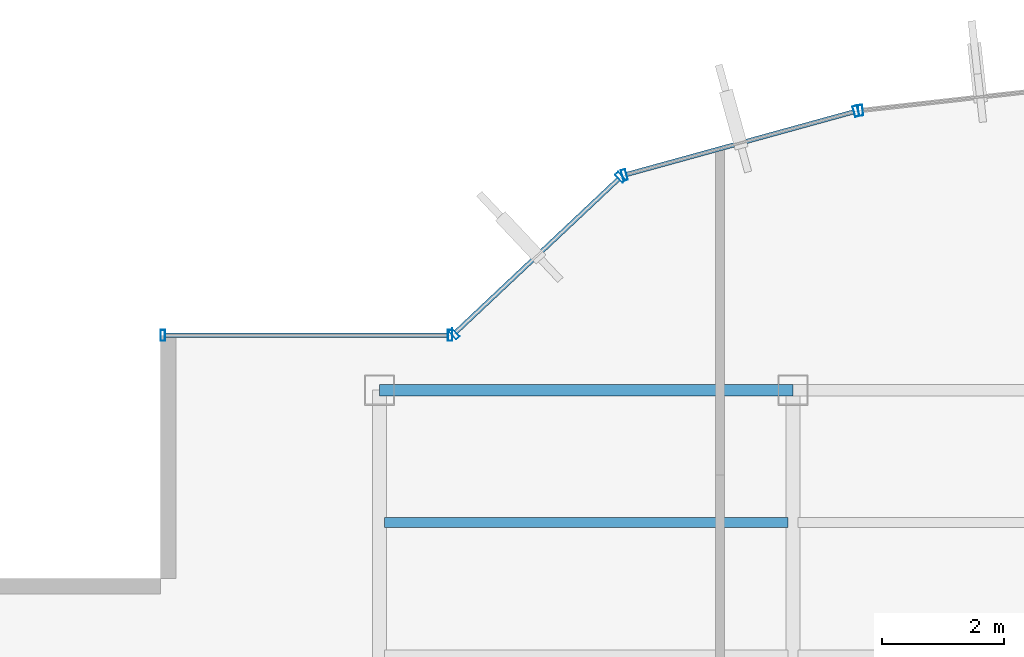
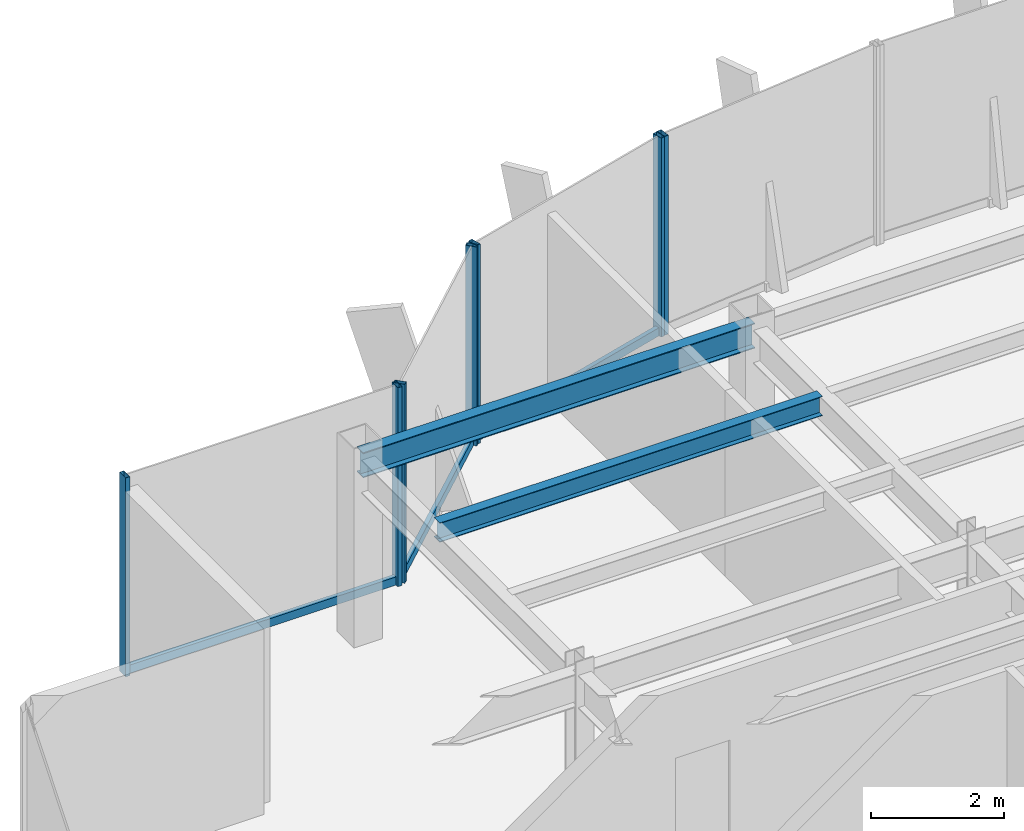
# One storey, part 12 of 22: 10 members, 2 beams, 4 elements without a shape of their own.
"""IFC4 building model written with IfcOpenShell, lengths in metres."""

from ifc_helpers import new_model, si_unit, derived_unit, direction, frame, origin, origin_2d, place, context, subcontext, project, spatial, hollow_rectangle, i_section, extrude, source, transform, mapped, material, material_profile, profile_set, type_object, element, aggregate, save


model = new_model("IFC4")

# Units and contexts
model_context = context("Model", 3, precision=1e-05, world=origin(), true_north=direction((0.0, 1.0)))
body_context = subcontext(model_context, "Body", "Model", "MODEL_VIEW")
ifc_project = project(units=[si_unit("LENGTHUNIT", "METRE"), si_unit("AREAUNIT", "SQUARE_METRE"), si_unit("VOLUMEUNIT", "CUBIC_METRE"), si_unit("PLANEANGLEUNIT", "RADIAN"), si_unit("MASSUNIT", "GRAM", prefix="KILO"), derived_unit("THERMALTRANSMITTANCEUNIT", [(si_unit("POWERUNIT", "WATT"), 1), (si_unit("LENGTHUNIT", "METRE"), -2), (si_unit("THERMODYNAMICTEMPERATUREUNIT", "KELVIN"), -1)])], contexts=[model_context])

# Site, building, storey
site_placement = place(None, origin())
site = spatial("IfcSite", under=ifc_project, at=site_placement, CompositionType="ELEMENT")
building_placement = place(site_placement, origin())
building = spatial("IfcBuilding", under=site, at=building_placement, Name="Skarnbrae Concourse Arena and Tower", CompositionType="ELEMENT")
storey_placement = place(building_placement, frame((0.0, 0.0, 221.449951171875)))
storey = spatial("IfcBuildingStorey", under=building, at=storey_placement, Name="L57", CompositionType="ELEMENT", Elevation=221.449951171875)

# Beams
ifc_material_1 = material(Name="Steel CSA G40.21 350W", Category="steel")
ifc_material_profile_1 = material_profile(ifc_material_1, i_section(OverallWidth=0.19091796875, OverallDepth=0.4599609375, WebThickness=0.010009765625, FlangeThickness=0.01611328125, at=origin_2d()), Name="W460X82")
ifc_profile_set_1 = profile_set([ifc_material_profile_1], Name="Steel CSA G40.21 350W")
beam_type_1 = type_object("IfcBeamType", Name="BM-SPAN-W460X82", PredefinedType="SPANDREL", material=ifc_profile_set_1)
shared_shape_1 = source(origin(), body_context, "Body", "SweptSolid", [
    extrude(i_section(OverallWidth=0.19091796875, OverallDepth=0.4599609375, WebThickness=0.010009765625, FlangeThickness=0.01611328125, at=origin_2d()), origin(), (0.0, 0.0, 1.0), 6.7998046875),
])
beam_1_placement = place(storey_placement, frame((7.60009765625, 34.39990234375, 3.170166015625), z_axis=(1.0, 0.0, 0.0), x_axis=(0.0, 1.0, 0.0)))
element("IfcBeam", 1, at=beam_1_placement, inside=storey, type_object=beam_type_1, Name="L57 Perimeter spandrel Y34.4-1", PredefinedType="SPANDREL", context=body_context, shape_type="MappedRepresentation", body=[
    mapped(shared_shape_1, transform((0.0, 0.0, 0.0))),
])
ifc_material_profile_2 = material_profile(ifc_material_1, i_section(OverallWidth=0.1708984375, OverallDepth=0.35498046875, WebThickness=0.007080078125, FlangeThickness=0.01171875, at=origin_2d()), Name="W360X51")
ifc_profile_set_2 = profile_set([ifc_material_profile_2], Name="Steel CSA G40.21 350W")
beam_type_2 = type_object("IfcBeamType", Name="BM-JOIST-W360X51", PredefinedType="JOIST", material=ifc_profile_set_2)
shared_shape_2 = source(origin(), body_context, "Body", "SweptSolid", [
    extrude(i_section(OverallWidth=0.1708984375, OverallDepth=0.35498046875, WebThickness=0.007080078125, FlangeThickness=0.01171875, at=origin_2d()), origin(), (0.0, 0.0, 1.0), 6.64013671875),
])
beam_2_placement = place(storey_placement, frame((7.679931640625, 32.221923828125, 3.22265625), z_axis=(1.0, 0.0, 0.0), x_axis=(0.0, 1.0, 0.0)))
element("IfcBeam", 2, at=beam_2_placement, inside=storey, type_object=beam_type_2, Name="L57 Secondary floor joist 3.2.1", PredefinedType="JOIST", context=body_context, shape_type="MappedRepresentation", body=[
    mapped(shared_shape_2, transform((0.0, 0.0, 0.0))),
])

# Curtain wall, member
ifc_material_2 = material(Name="Bronze anodised aluminium 6063-T6", Category="aluminium")
curtain_wall_type = type_object("IfcCurtainWallType", Name="CW-SYS-05-HIGHZONE", PredefinedType="USERDEFINED", material=ifc_material_2)
curtain_wall_1_placement = place(storey_placement, origin())
curtain_wall_1 = element("IfcCurtainWall", 3, at=curtain_wall_1_placement, inside=storey, type_object=curtain_wall_type, Name="L57 Unitised curtain wall CW-L57-E15", ObjectType="UNITISED CURTAIN WALL", PredefinedType="USERDEFINED")
ifc_material_profile_3 = material_profile(ifc_material_2, hollow_rectangle(XDim=0.074951171875, YDim=0.14990234375, WallThickness=0.00390625, at=origin_2d()), Name="ALU-TRAN-75X150")
ifc_profile_set_3 = profile_set([ifc_material_profile_3], Name="Bronze anodised aluminium 6063-T6")
member_type_1 = type_object("IfcMemberType", Name="CWT-CW-05", PredefinedType="USERDEFINED", material=ifc_profile_set_3)
shared_shape_3 = source(origin(), body_context, "Body", "SweptSolid", [
    extrude(hollow_rectangle(XDim=0.074951171875, YDim=0.14990234375, WallThickness=0.00390625, at=origin_2d()), origin(), (0.0, 0.0, 1.0), 4.650146484375),
])
member_1_placement = place(storey_placement, frame((8.72509765625, 35.300048828125, 0.074951171875), z_axis=(-1.0, 0.0, 0.0), x_axis=(0.0, -1.0, 0.0)))
member_1 = element("IfcMember", 4, at=member_1_placement, type_object=member_type_1, Name="CW-L57-E15 Transom 1", ObjectType="TRANSOM", PredefinedType="USERDEFINED", context=body_context, shape_type="MappedRepresentation", body=[
    mapped(shared_shape_3, transform((0.0, 0.0, 0.0))),
])

curtain_wall_2_placement = place(storey_placement, origin())
curtain_wall_2 = element("IfcCurtainWall", 5, at=curtain_wall_2_placement, inside=storey, type_object=curtain_wall_type, Name="L57 Unitised curtain wall CW-L57-E14", ObjectType="UNITISED CURTAIN WALL", PredefinedType="USERDEFINED")
shared_shape_4 = source(origin(), body_context, "Body", "SweptSolid", [
    extrude(hollow_rectangle(XDim=0.074951171875, YDim=0.14990234375, WallThickness=0.00390625, at=origin_2d()), origin(), (0.0, 0.0, 1.0), 3.68212890625),
])
member_2_placement = place(storey_placement, frame((11.53564453125, 37.875244140625, 0.074951171875), z_axis=(-0.728133808476, -0.685435012933, 0.0), x_axis=(0.685435012933, -0.728133808476, 0.0)))
member_2 = element("IfcMember", 6, at=member_2_placement, type_object=member_type_1, Name="CW-L57-E14 Transom 1", ObjectType="TRANSOM", PredefinedType="USERDEFINED", context=body_context, shape_type="MappedRepresentation", body=[
    mapped(shared_shape_4, transform((0.0, 0.0, 0.0))),
])

curtain_wall_3_placement = place(storey_placement, origin())
curtain_wall_3 = element("IfcCurtainWall", 7, at=curtain_wall_3_placement, inside=storey, type_object=curtain_wall_type, Name="L57 Unitised curtain wall CW-L57-E13", ObjectType="UNITISED CURTAIN WALL", PredefinedType="USERDEFINED")
shared_shape_5 = source(origin(), body_context, "Body", "SweptSolid", [
    extrude(hollow_rectangle(XDim=0.074951171875, YDim=0.14990234375, WallThickness=0.00390625, at=origin_2d()), origin(), (0.0, 0.0, 1.0), 3.878662109375),
])
member_3_placement = place(storey_placement, frame((15.40185546875, 38.977294921875, 0.074951171875), z_axis=(-0.964042677713, -0.265747465742, 0.0), x_axis=(0.265747465742, -0.964042677713, 0.0)))
member_3 = element("IfcMember", 8, at=member_3_placement, type_object=member_type_1, Name="CW-L57-E13 Transom 1", ObjectType="TRANSOM", PredefinedType="USERDEFINED", context=body_context, shape_type="MappedRepresentation", body=[
    mapped(shared_shape_5, transform((0.0, 0.0, 0.0))),
])

curtain_wall_4_placement = place(storey_placement, origin())
curtain_wall_4 = element("IfcCurtainWall", 9, at=curtain_wall_4_placement, inside=storey, type_object=curtain_wall_type, Name="L57 Unitised curtain wall CW-L57-E12", ObjectType="UNITISED CURTAIN WALL", PredefinedType="USERDEFINED")
ifc_material_profile_4 = material_profile(ifc_material_2, hollow_rectangle(XDim=0.074951171875, YDim=0.179931640625, WallThickness=0.00390625, at=origin_2d()), Name="ALU-MULL-75X180")
ifc_profile_set_4 = profile_set([ifc_material_profile_4], Name="Bronze anodised aluminium 6063-T6")
member_type_2 = type_object("IfcMemberType", Name="CWM-CW-05", PredefinedType="MULLION", material=ifc_profile_set_4)
shared_shape_6 = source(origin(), body_context, "Body", "SweptSolid", [
    extrude(hollow_rectangle(XDim=0.074951171875, YDim=0.179931640625, WallThickness=0.00390625, at=origin_2d()), origin(), (0.0, 0.0, 1.0), 3.650146484375),
])
member_4_placement = place(storey_placement, frame((15.511474609375, 39.001220703125, 0.0), z_axis=(0.0, 0.0, 1.0), x_axis=(-0.993768891873, -0.111460259941, 0.0)))
member_4 = element("IfcMember", 10, at=member_4_placement, type_object=member_type_2, Name="CW-L57-E12 Mullion 2", PredefinedType="MULLION", context=body_context, shape_type="MappedRepresentation", body=[
    mapped(shared_shape_6, transform((0.0, 0.0, 0.0))),
])
aggregate(curtain_wall_4, [member_4])

# Member
member_5_placement = place(storey_placement, frame((15.43798828125, 38.987060546875, 0.0), z_axis=(0.0, 0.0, 1.0), x_axis=(-0.964057388766, -0.265694093207, 0.0)))
member_5 = element("IfcMember", 11, at=member_5_placement, type_object=member_type_2, Name="CW-L57-E13 Mullion 1", PredefinedType="MULLION", context=body_context, shape_type="MappedRepresentation", body=[
    mapped(shared_shape_6, transform((0.0, 0.0, 0.0))),
])

member_6_placement = place(storey_placement, frame((11.62646484375, 37.936767578125, 0.0), z_axis=(0.0, 0.0, 1.0), x_axis=(-0.964057388766, -0.265694093207, 0.0)))
member_6 = element("IfcMember", 12, at=member_6_placement, type_object=member_type_2, Name="CW-L57-E13 Mullion 2", PredefinedType="MULLION", context=body_context, shape_type="MappedRepresentation", body=[
    mapped(shared_shape_6, transform((0.0, 0.0, 0.0))),
])

aggregate(curtain_wall_3, [member_5, member_6, member_3])

member_7_placement = place(storey_placement, frame((11.56298828125, 37.90087890625, 0.0), z_axis=(0.0, 0.0, 1.0), x_axis=(-0.728130555214, -0.685438468838, 0.0)))
member_7 = element("IfcMember", 13, at=member_7_placement, type_object=member_type_2, Name="CW-L57-E14 Mullion 1", PredefinedType="MULLION", context=body_context, shape_type="MappedRepresentation", body=[
    mapped(shared_shape_6, transform((0.0, 0.0, 0.0))),
])

member_8_placement = place(storey_placement, frame((8.827392578125, 35.32568359375, 0.0), z_axis=(0.0, 0.0, 1.0), x_axis=(-0.728130555214, -0.685438468838, 0.0)))
member_8 = element("IfcMember", 14, at=member_8_placement, type_object=member_type_2, Name="CW-L57-E14 Mullion 2", PredefinedType="MULLION", context=body_context, shape_type="MappedRepresentation", body=[
    mapped(shared_shape_6, transform((0.0, 0.0, 0.0))),
])

aggregate(curtain_wall_2, [member_7, member_8, member_2])

member_9_placement = place(storey_placement, frame((8.762451171875, 35.300048828125, 0.0), z_axis=(0.0, 0.0, 1.0), x_axis=(-1.0, 0.0, 0.0)))
member_9 = element("IfcMember", 15, at=member_9_placement, type_object=member_type_2, Name="CW-L57-E15 Mullion 1", PredefinedType="MULLION", context=body_context, shape_type="MappedRepresentation", body=[
    mapped(shared_shape_6, transform((0.0, 0.0, 0.0))),
])

member_10_placement = place(storey_placement, frame((4.03759765625, 35.300048828125, 0.0), z_axis=(0.0, 0.0, 1.0), x_axis=(-1.0, 0.0, 0.0)))
member_10 = element("IfcMember", 16, at=member_10_placement, type_object=member_type_2, Name="CW-L57-E15 Mullion 2", PredefinedType="MULLION", context=body_context, shape_type="MappedRepresentation", body=[
    mapped(shared_shape_6, transform((0.0, 0.0, 0.0))),
])

aggregate(curtain_wall_1, [member_9, member_10, member_1])

save(model, "model.ifc")
